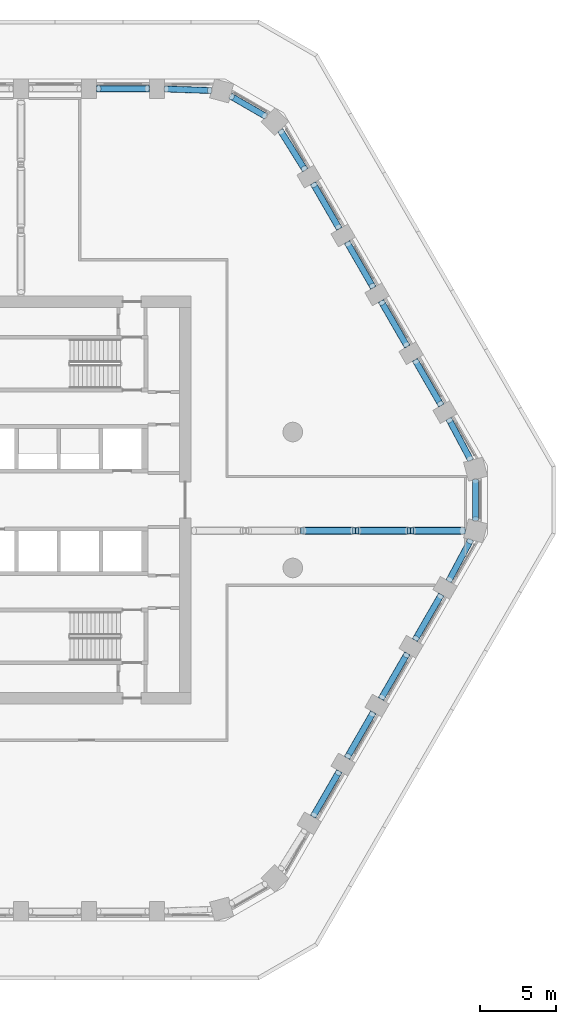
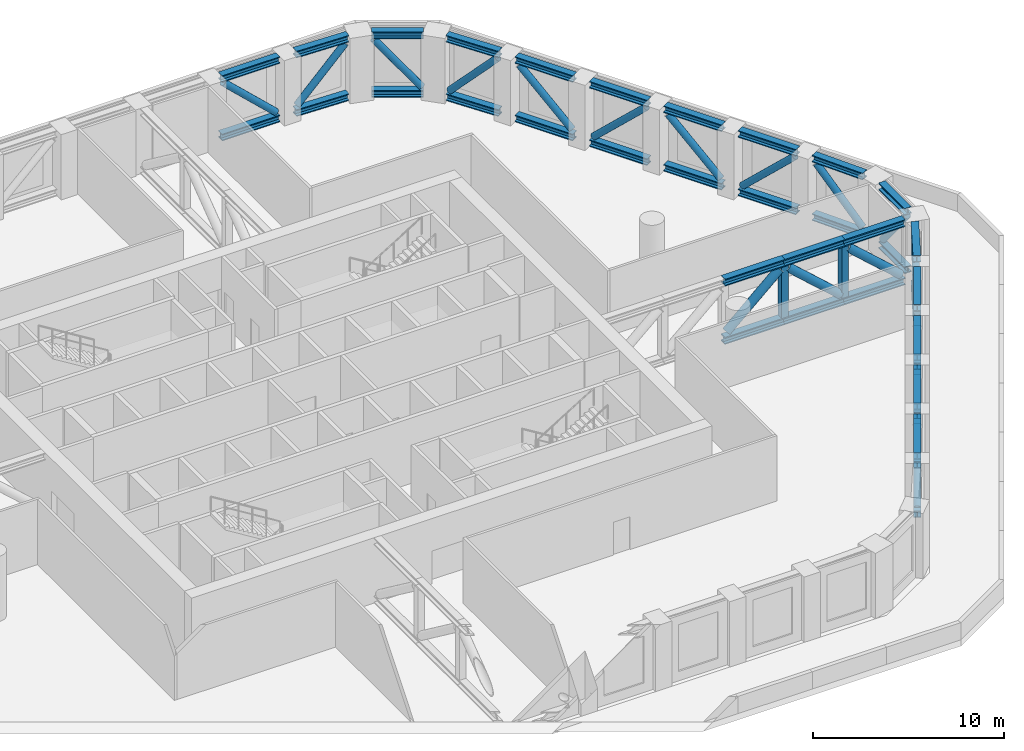
# One storey, part 4 of 18: 36 beams, 20 members.
"""IFC4 building model written with IfcOpenShell, lengths in metres."""

from ifc_helpers import new_model, si_unit, direction, frame, origin, origin_2d, place, context, subcontext, project, spatial, hollow_rectangle, hollow_circle, i_section, extrude, material, material_profile, profile_set, type_object, element, save


model = new_model("IFC4")

# Units and contexts
model_context = context("Model", 3, precision=1e-05, world=origin(), true_north=direction((0.0, 1.0)))
body_context = subcontext(model_context, "Body", "Model", "MODEL_VIEW")
ifc_project = project(units=[si_unit("LENGTHUNIT", "METRE"), si_unit("AREAUNIT", "SQUARE_METRE"), si_unit("VOLUMEUNIT", "CUBIC_METRE"), si_unit("PLANEANGLEUNIT", "RADIAN"), si_unit("MASSUNIT", "GRAM", prefix="KILO")], contexts=[model_context])

# Site, building, storey
site_placement = place(None, origin())
site = spatial("IfcSite", under=ifc_project, at=site_placement, CompositionType="ELEMENT")
building_placement = place(site_placement, origin())
building = spatial("IfcBuilding", under=site, at=building_placement, Name="Dhurran Vertical Campus", CompositionType="ELEMENT")
storey_placement = place(building_placement, frame((0.0, 0.0, 128.10009765625)))
storey = spatial("IfcBuildingStorey", under=building, at=storey_placement, Name="L31 Plant", CompositionType="ELEMENT", Elevation=128.10009765625)

# Beams
ifc_material_1 = material(Name="Steel ASTM A992", Category="steel")
ifc_material_profile_1 = material_profile(ifc_material_1, i_section(OverallWidth=0.412109375, OverallDepth=0.43505859375, WebThickness=0.035888671875, FlangeThickness=0.057373046875, at=origin_2d()), Name="W360x463")
ifc_profile_set_1 = profile_set([ifc_material_profile_1], Name="Steel ASTM A992")
beam_type_1 = type_object("IfcBeamType", Name="FR BELT CHORD W360x463", PredefinedType="BEAM", material=ifc_profile_set_1)
for number, where, z_axis, x_axis, name in (
    (1, (23.834228515625, -20.9775390625, 0.21728515625), (0.500010275428, 0.866019471182, 0.0), (-0.866019471182, 0.500010275428, 0.0), "Belt truss chord L31"),
    (2, (23.834228515625, -20.9775390625, 3.95751953125), (0.500010275428, 0.866019471182, 0.0), (-0.866019471182, 0.500010275428, 0.0), "Belt truss chord L31"),
):
    element("IfcBeam", number, at=place(storey_placement, frame(where, z_axis=z_axis, x_axis=x_axis)), inside=storey, type_object=beam_type_1, Name=name, PredefinedType="BEAM", context=body_context, shape_type="SweptSolid", body=[
        extrude(i_section(OverallWidth=0.412109375, OverallDepth=0.43505859375, WebThickness=0.035888671875, FlangeThickness=0.057373046875, at=origin_2d()), origin(), (0.0, 0.0, 1.0), 3.5),
    ])
for number, where, z_axis, x_axis, name in (
    (3, (26.084228515625, -17.08056640625, 0.21728515625), (0.499980071345, 0.866036909293, 0.0), (-0.866036909293, 0.499980071345, 0.0), "Belt truss chord L31"),
    (4, (26.084228515625, -17.08056640625, 3.95751953125), (0.499980071345, 0.866036909293, 0.0), (-0.866036909293, 0.499980071345, 0.0), "Belt truss chord L31"),
    (5, (28.334228515625, -13.183349609375, 0.21728515625), (0.499980071345, 0.866036909293, 0.0), (-0.866036909293, 0.499980071345, 0.0), "Belt truss chord L31"),
    (6, (28.334228515625, -13.183349609375, 3.95751953125), (0.499980071345, 0.866036909293, 0.0), (-0.866036909293, 0.499980071345, 0.0), "Belt truss chord L31"),
):
    element("IfcBeam", number, at=place(storey_placement, frame(where, z_axis=z_axis, x_axis=x_axis)), inside=storey, type_object=beam_type_1, Name=name, PredefinedType="BEAM", context=body_context, shape_type="SweptSolid", body=[
        extrude(i_section(OverallWidth=0.412109375, OverallDepth=0.43505859375, WebThickness=0.035888671875, FlangeThickness=0.057373046875, at=origin_2d()), origin(), (0.0, 0.0, 1.0), 3.500244140625),
    ])
for number, where, z_axis, x_axis, name in (
    (7, (30.584228515625, -9.2861328125, 0.21728515625), (0.500010275428, 0.866019471182, 0.0), (-0.866019471182, 0.500010275428, 0.0), "Belt truss chord L31"),
    (8, (30.584228515625, -9.2861328125, 3.95751953125), (0.500010275428, 0.866019471182, 0.0), (-0.866019471182, 0.500010275428, 0.0), "Belt truss chord L31"),
):
    element("IfcBeam", number, at=place(storey_placement, frame(where, z_axis=z_axis, x_axis=x_axis)), inside=storey, type_object=beam_type_1, Name=name, PredefinedType="BEAM", context=body_context, shape_type="SweptSolid", body=[
        extrude(i_section(OverallWidth=0.412109375, OverallDepth=0.43505859375, WebThickness=0.035888671875, FlangeThickness=0.057373046875, at=origin_2d()), origin(), (0.0, 0.0, 1.0), 3.5),
    ])
for number, where, z_axis, x_axis, name in (
    (9, (32.8193359375, -5.380615234375, 0.21728515625), (0.470243179816, 0.882536884122, 0.0), (-0.882536884122, 0.470243179816, 0.0), "Belt truss chord L31"),
    (10, (32.8193359375, -5.380615234375, 3.95751953125), (0.470243179816, 0.882536884122, 0.0), (-0.882536884122, 0.470243179816, 0.0), "Belt truss chord L31"),
):
    element("IfcBeam", number, at=place(storey_placement, frame(where, z_axis=z_axis, x_axis=x_axis)), inside=storey, type_object=beam_type_1, Name=name, PredefinedType="BEAM", context=body_context, shape_type="SweptSolid", body=[
        extrude(i_section(OverallWidth=0.412109375, OverallDepth=0.43505859375, WebThickness=0.035888671875, FlangeThickness=0.057373046875, at=origin_2d()), origin(), (0.0, 0.0, 1.0), 3.121826171875),
    ])
for number, where, z_axis, x_axis, name in (
    (11, (34.60107421875, -1.36376953125, 0.21728515625), (0.0, 1.0, 0.0), (-1.0, 0.0, 0.0), "Belt truss chord L31"),
    (12, (34.60107421875, -1.36376953125, 3.95751953125), (0.0, 1.0, 0.0), (-1.0, 0.0, 0.0), "Belt truss chord L31"),
):
    element("IfcBeam", number, at=place(storey_placement, frame(where, z_axis=z_axis, x_axis=x_axis)), inside=storey, type_object=beam_type_1, Name=name, PredefinedType="BEAM", context=body_context, shape_type="SweptSolid", body=[
        extrude(i_section(OverallWidth=0.412109375, OverallDepth=0.43505859375, WebThickness=0.035888671875, FlangeThickness=0.057373046875, at=origin_2d()), origin(), (0.0, 0.0, 1.0), 2.7275390625),
    ])
for number, where, z_axis, x_axis, name in (
    (13, (34.287353515625, 2.62548828125, 0.21728515625), (-0.470243179816, 0.882536884122, 0.0), (-0.882536884122, -0.470243179816, 0.0), "Belt truss chord L31"),
    (14, (34.287353515625, 2.62548828125, 3.95751953125), (-0.470243179816, 0.882536884122, 0.0), (-0.882536884122, -0.470243179816, 0.0), "Belt truss chord L31"),
):
    element("IfcBeam", number, at=place(storey_placement, frame(where, z_axis=z_axis, x_axis=x_axis)), inside=storey, type_object=beam_type_1, Name=name, PredefinedType="BEAM", context=body_context, shape_type="SweptSolid", body=[
        extrude(i_section(OverallWidth=0.412109375, OverallDepth=0.43505859375, WebThickness=0.035888671875, FlangeThickness=0.057373046875, at=origin_2d()), origin(), (0.0, 0.0, 1.0), 3.121826171875),
    ])
for number, where, z_axis, x_axis, name in (
    (15, (32.334228515625, 6.255126953125, 0.21728515625), (-0.500010275428, 0.866019471182, 0.0), (-0.866019471182, -0.500010275428, 0.0), "Belt truss chord L31"),
    (16, (32.334228515625, 6.255126953125, 3.95751953125), (-0.500010275428, 0.866019471182, 0.0), (-0.866019471182, -0.500010275428, 0.0), "Belt truss chord L31"),
):
    element("IfcBeam", number, at=place(storey_placement, frame(where, z_axis=z_axis, x_axis=x_axis)), inside=storey, type_object=beam_type_1, Name=name, PredefinedType="BEAM", context=body_context, shape_type="SweptSolid", body=[
        extrude(i_section(OverallWidth=0.412109375, OverallDepth=0.43505859375, WebThickness=0.035888671875, FlangeThickness=0.057373046875, at=origin_2d()), origin(), (0.0, 0.0, 1.0), 3.5),
    ])
for number, where, z_axis, x_axis, name in (
    (17, (30.084228515625, 10.152099609375, 0.21728515625), (-0.499980071345, 0.866036909293, 0.0), (-0.866036909293, -0.499980071345, 0.0), "Belt truss chord L31"),
    (18, (30.084228515625, 10.152099609375, 3.95751953125), (-0.499980071345, 0.866036909293, 0.0), (-0.866036909293, -0.499980071345, 0.0), "Belt truss chord L31"),
    (19, (27.834228515625, 14.04931640625, 0.21728515625), (-0.499980071345, 0.866036909293, 0.0), (-0.866036909293, -0.499980071345, 0.0), "Belt truss chord L31"),
    (20, (27.834228515625, 14.04931640625, 3.95751953125), (-0.499980071345, 0.866036909293, 0.0), (-0.866036909293, -0.499980071345, 0.0), "Belt truss chord L31"),
):
    element("IfcBeam", number, at=place(storey_placement, frame(where, z_axis=z_axis, x_axis=x_axis)), inside=storey, type_object=beam_type_1, Name=name, PredefinedType="BEAM", context=body_context, shape_type="SweptSolid", body=[
        extrude(i_section(OverallWidth=0.412109375, OverallDepth=0.43505859375, WebThickness=0.035888671875, FlangeThickness=0.057373046875, at=origin_2d()), origin(), (0.0, 0.0, 1.0), 3.500244140625),
    ])
for number, where, z_axis, x_axis, name in (
    (21, (25.584228515625, 17.946533203125, 0.21728515625), (-0.500010275428, 0.866019471182, 0.0), (-0.866019471182, -0.500010275428, 0.0), "Belt truss chord L31"),
    (22, (25.584228515625, 17.946533203125, 3.95751953125), (-0.500010275428, 0.866019471182, 0.0), (-0.866019471182, -0.500010275428, 0.0), "Belt truss chord L31"),
):
    element("IfcBeam", number, at=place(storey_placement, frame(where, z_axis=z_axis, x_axis=x_axis)), inside=storey, type_object=beam_type_1, Name=name, PredefinedType="BEAM", context=body_context, shape_type="SweptSolid", body=[
        extrude(i_section(OverallWidth=0.412109375, OverallDepth=0.43505859375, WebThickness=0.035888671875, FlangeThickness=0.057373046875, at=origin_2d()), origin(), (0.0, 0.0, 1.0), 3.5),
    ])
for number, where, z_axis, x_axis, name in (
    (23, (23.3193359375, 21.835205078125, 0.21728515625), (-0.529176156193, 0.848511989142, 0.0), (-0.848511989142, -0.529176156193, 0.0), "Belt truss chord L31"),
    (24, (23.3193359375, 21.835205078125, 3.95751953125), (-0.529176156193, 0.848511989142, 0.0), (-0.848511989142, -0.529176156193, 0.0), "Belt truss chord L31"),
):
    element("IfcBeam", number, at=place(storey_placement, frame(where, z_axis=z_axis, x_axis=x_axis)), inside=storey, type_object=beam_type_1, Name=name, PredefinedType="BEAM", context=body_context, shape_type="SweptSolid", body=[
        extrude(i_section(OverallWidth=0.412109375, OverallDepth=0.43505859375, WebThickness=0.035888671875, FlangeThickness=0.057373046875, at=origin_2d()), origin(), (0.0, 0.0, 1.0), 3.12158203125),
    ])
for number, where, z_axis, x_axis, name in (
    (25, (20.7314453125, 25.386474609375, 0.21728515625), (-0.866058885866, 0.499942002849, 0.0), (-0.499942002849, -0.866058885866, 0.0), "Belt truss chord L31"),
    (26, (20.7314453125, 25.386474609375, 3.95751953125), (-0.866058885866, 0.499942002849, 0.0), (-0.499942002849, -0.866058885866, 0.0), "Belt truss chord L31"),
):
    element("IfcBeam", number, at=place(storey_placement, frame(where, z_axis=z_axis, x_axis=x_axis)), inside=storey, type_object=beam_type_1, Name=name, PredefinedType="BEAM", context=body_context, shape_type="SweptSolid", body=[
        extrude(i_section(OverallWidth=0.412109375, OverallDepth=0.43505859375, WebThickness=0.035888671875, FlangeThickness=0.057373046875, at=origin_2d()), origin(), (0.0, 0.0, 1.0), 2.727294921875),
    ])
for number, where, z_axis, x_axis, name in (
    (27, (17.119873046875, 27.109375, 0.21728515625), (-0.999418472466, 0.034098634791, 0.0), (-0.034098634791, -0.999418472466, 0.0), "Belt truss chord L31"),
    (28, (17.119873046875, 27.109375, 3.95751953125), (-0.999418472466, 0.034098634791, 0.0), (-0.034098634791, -0.999418472466, 0.0), "Belt truss chord L31"),
):
    element("IfcBeam", number, at=place(storey_placement, frame(where, z_axis=z_axis, x_axis=x_axis)), inside=storey, type_object=beam_type_1, Name=name, PredefinedType="BEAM", context=body_context, shape_type="SweptSolid", body=[
        extrude(i_section(OverallWidth=0.412109375, OverallDepth=0.43505859375, WebThickness=0.035888671875, FlangeThickness=0.057373046875, at=origin_2d()), origin(), (0.0, 0.0, 1.0), 3.12158203125),
    ])
for number, where, z_axis, x_axis, name in (
    (29, (13.0, 27.232666015625, 0.21728515625), (-1.0, 0.0, 0.0), (0.0, -1.0, 0.0), "Belt truss chord L31"),
    (30, (13.0, 27.232666015625, 3.95751953125), (-1.0, 0.0, 0.0), (0.0, -1.0, 0.0), "Belt truss chord L31"),
):
    element("IfcBeam", number, at=place(storey_placement, frame(where, z_axis=z_axis, x_axis=x_axis)), inside=storey, type_object=beam_type_1, Name=name, PredefinedType="BEAM", context=body_context, shape_type="SweptSolid", body=[
        extrude(i_section(OverallWidth=0.412109375, OverallDepth=0.43505859375, WebThickness=0.035888671875, FlangeThickness=0.057373046875, at=origin_2d()), origin(), (0.0, 0.0, 1.0), 3.5),
    ])

# Members
ifc_material_2 = material(Name="Steel S355J2H", Category="steel")
ifc_material_profile_2 = material_profile(ifc_material_2, hollow_circle(Radius=0.203125, WallThickness=0.01611328125, at=origin_2d()), Name="CHS406.4x16")
ifc_profile_set_2 = profile_set([ifc_material_profile_2], Name="Steel S355J2H")
member_type_1 = type_object("IfcMemberType", Name="FR BELT DIAGONAL CHS406.4x16", PredefinedType="BRACE", material=ifc_profile_set_2)
member_1_placement = place(storey_placement, frame((23.912353515625, -20.842041015625, 0.58251953125), z_axis=(0.363566940139, 0.629614622896, 0.686589037688), x_axis=(-0.86599040064, 0.500060622324, 0.0)))
element("IfcMember", 31, at=member_1_placement, inside=storey, type_object=member_type_1, Name="Belt truss diagonal L31", PredefinedType="BRACE", context=body_context, shape_type="SweptSolid", body=[
    extrude(hollow_circle(Radius=0.203125, WallThickness=0.01611328125, at=origin_2d()), origin(), (0.0, 0.0, 1.0), 4.383544921875),
])
for number, where, z_axis, x_axis, name in (
    (32, (27.756103515625, -14.184814453125, 0.58251953125), (-0.363554191618, -0.629648236892, 0.686564962357), (0.866009553984, -0.500027451655, 0.0), "Belt truss diagonal L31"),
    (33, (28.412353515625, -13.0478515625, 0.58251953125), (0.363554191618, 0.629648236892, 0.686564962357), (-0.866009553984, 0.500027451655, 0.0), "Belt truss diagonal L31"),
):
    element("IfcMember", number, at=place(storey_placement, frame(where, z_axis=z_axis, x_axis=x_axis)), inside=storey, type_object=member_type_1, Name=name, PredefinedType="BRACE", context=body_context, shape_type="SweptSolid", body=[
        extrude(hollow_circle(Radius=0.203125, WallThickness=0.01611328125, at=origin_2d()), origin(), (0.0, 0.0, 1.0), 4.3837890625),
    ])
member_2_placement = place(storey_placement, frame((32.256103515625, -6.390625, 0.58251953125), z_axis=(-0.363566940139, -0.629614622896, 0.686589037688), x_axis=(0.86599040064, -0.500060622324, 0.0)))
element("IfcMember", 34, at=member_2_placement, inside=storey, type_object=member_type_1, Name="Belt truss diagonal L31", PredefinedType="BRACE", context=body_context, shape_type="SweptSolid", body=[
    extrude(hollow_circle(Radius=0.203125, WallThickness=0.01611328125, at=origin_2d()), origin(), (0.0, 0.0, 1.0), 4.383544921875),
])
member_3_placement = place(storey_placement, frame((32.88134765625, -5.264404296875, 0.574462890625), z_axis=(0.322893902502, 0.606019945622, 0.726965854243), x_axis=(-0.882544394798, 0.470229083756, 0.0)))
element("IfcMember", 35, at=member_3_placement, inside=storey, type_object=member_type_1, Name="Belt truss diagonal L31", PredefinedType="BRACE", context=body_context, shape_type="SweptSolid", body=[
    extrude(hollow_circle(Radius=0.203125, WallThickness=0.01611328125, at=origin_2d()), origin(), (0.0, 0.0, 1.0), 4.162353515625),
])
member_4_placement = place(storey_placement, frame((34.60107421875, 1.257080078125, 0.564208984375), z_axis=(0.0, -0.636517184339, 0.771262519536), x_axis=(1.0, 0.0, 0.0)))
element("IfcMember", 36, at=member_4_placement, inside=storey, type_object=member_type_1, Name="Belt truss diagonal L31", PredefinedType="BRACE", context=body_context, shape_type="SweptSolid", body=[
    extrude(hollow_circle(Radius=0.203125, WallThickness=0.01611328125, at=origin_2d()), origin(), (0.0, 0.0, 1.0), 3.949951171875),
])
member_5_placement = place(storey_placement, frame((34.225341796875, 2.741943359375, 0.574462890625), z_axis=(-0.322893902502, 0.606019945622, 0.726965854243), x_axis=(-0.882544394798, -0.470229083756, 0.0)))
element("IfcMember", 37, at=member_5_placement, inside=storey, type_object=member_type_1, Name="Belt truss diagonal L31", PredefinedType="BRACE", context=body_context, shape_type="SweptSolid", body=[
    extrude(hollow_circle(Radius=0.203125, WallThickness=0.01611328125, at=origin_2d()), origin(), (0.0, 0.0, 1.0), 4.162353515625),
])
member_6_placement = place(storey_placement, frame((30.662353515625, 9.150634765625, 0.58251953125), z_axis=(0.363566940139, -0.629614622896, 0.686589037688), x_axis=(0.86599040064, 0.500060622324, 0.0)))
element("IfcMember", 38, at=member_6_placement, inside=storey, type_object=member_type_1, Name="Belt truss diagonal L31", PredefinedType="BRACE", context=body_context, shape_type="SweptSolid", body=[
    extrude(hollow_circle(Radius=0.203125, WallThickness=0.01611328125, at=origin_2d()), origin(), (0.0, 0.0, 1.0), 4.383544921875),
])
for number, where, z_axis, x_axis, name in (
    (39, (30.006103515625, 10.28759765625, 0.58251953125), (-0.363554191618, 0.629648236892, 0.686564962357), (-0.866009553984, -0.500027451655, 0.0), "Belt truss diagonal L31"),
    (40, (26.162353515625, 16.945068359375, 0.58251953125), (0.363554191618, -0.629648236892, 0.686564962357), (0.866009553984, 0.500027451655, 0.0), "Belt truss diagonal L31"),
):
    element("IfcMember", number, at=place(storey_placement, frame(where, z_axis=z_axis, x_axis=x_axis)), inside=storey, type_object=member_type_1, Name=name, PredefinedType="BRACE", context=body_context, shape_type="SweptSolid", body=[
        extrude(hollow_circle(Radius=0.203125, WallThickness=0.01611328125, at=origin_2d()), origin(), (0.0, 0.0, 1.0), 4.3837890625),
    ])
member_7_placement = place(storey_placement, frame((25.506103515625, 18.08203125, 0.58251953125), z_axis=(-0.363566940139, 0.629614622896, 0.686589037688), x_axis=(-0.86599040064, -0.500060622324, 0.0)))
element("IfcMember", 41, at=member_7_placement, inside=storey, type_object=member_type_1, Name="Belt truss diagonal L31", PredefinedType="BRACE", context=body_context, shape_type="SweptSolid", body=[
    extrude(hollow_circle(Radius=0.203125, WallThickness=0.01611328125, at=origin_2d()), origin(), (0.0, 0.0, 1.0), 4.383544921875),
])
member_8_placement = place(storey_placement, frame((21.7373046875, 24.371826171875, 0.574462890625), z_axis=(0.363385996339, -0.58259075313, 0.727006624476), x_axis=(0.848477892865, 0.529230824234, 0.0)))
element("IfcMember", 42, at=member_8_placement, inside=storey, type_object=member_type_1, Name="Belt truss diagonal L31", PredefinedType="BRACE", context=body_context, shape_type="SweptSolid", body=[
    extrude(hollow_circle(Radius=0.203125, WallThickness=0.01611328125, at=origin_2d()), origin(), (0.0, 0.0, 1.0), 4.162109375),
])
member_9_placement = place(storey_placement, frame((20.63916015625, 25.439697265625, 0.564208984375), z_axis=(-0.55122586899, 0.318262166341, 0.771271181124), x_axis=(-0.500013859761, -0.8660174017, 0.0)))
element("IfcMember", 43, at=member_9_placement, inside=storey, type_object=member_type_1, Name="Belt truss diagonal L31", PredefinedType="BRACE", context=body_context, shape_type="SweptSolid", body=[
    extrude(hollow_circle(Radius=0.203125, WallThickness=0.01611328125, at=origin_2d()), origin(), (0.0, 0.0, 1.0), 3.94970703125),
])
member_10_placement = place(storey_placement, frame((14.131591796875, 27.211181640625, 0.574462890625), z_axis=(0.686266660037, -0.023403452765, 0.726973417478), x_axis=(0.034082750999, 0.99941901427, 0.0)))
element("IfcMember", 44, at=member_10_placement, inside=storey, type_object=member_type_1, Name="Belt truss diagonal L31", PredefinedType="BRACE", context=body_context, shape_type="SweptSolid", body=[
    extrude(hollow_circle(Radius=0.203125, WallThickness=0.01611328125, at=origin_2d()), origin(), (0.0, 0.0, 1.0), 4.162353515625),
])
member_11_placement = place(storey_placement, frame((12.843505859375, 27.232666015625, 0.58251953125), z_axis=(-0.727034775792, 0.0, 0.686600637044), x_axis=(0.0, -1.0, 0.0)))
element("IfcMember", 45, at=member_11_placement, inside=storey, type_object=member_type_1, Name="Belt truss diagonal L31", PredefinedType="BRACE", context=body_context, shape_type="SweptSolid", body=[
    extrude(hollow_circle(Radius=0.203125, WallThickness=0.01611328125, at=origin_2d()), origin(), (0.0, 0.0, 1.0), 4.383544921875),
])

# Beams
ifc_material_3 = material(Name="Steel ASTM A992", Category="steel")
ifc_material_profile_3 = material_profile(ifc_material_3, i_section(OverallWidth=0.41796875, OverallDepth=0.455078125, WebThickness=0.042236328125, FlangeThickness=0.067626953125, at=origin_2d()), Name="W360x551")
ifc_profile_set_3 = profile_set([ifc_material_profile_3], Name="Steel ASTM A992")
beam_type_2 = type_object("IfcBeamType", Name="FR OUTRIGGER CHORD W360x551", PredefinedType="BEAM", material=ifc_profile_set_3)
for number, where, z_axis, x_axis, name in (
    (46, (23.021240234375, -2.03662109375, 0.227294921875), (1.0, 0.0, 0.0), (0.0, 1.0, 0.0), "Outrigger truss chord L31"),
    (47, (23.021240234375, -2.03662109375, 3.947509765625), (1.0, 0.0, 0.0), (0.0, 1.0, 0.0), "Outrigger truss chord L31"),
):
    element("IfcBeam", number, at=place(storey_placement, frame(where, z_axis=z_axis, x_axis=x_axis)), inside=storey, type_object=beam_type_2, Name=name, PredefinedType="BEAM", context=body_context, shape_type="SweptSolid", body=[
        extrude(i_section(OverallWidth=0.41796875, OverallDepth=0.455078125, WebThickness=0.042236328125, FlangeThickness=0.067626953125, at=origin_2d()), origin(), (0.0, 0.0, 1.0), 3.6357421875),
    ])
for number, where, z_axis, x_axis, name in (
    (48, (26.656982421875, -2.03662109375, 0.227294921875), (1.0, 0.0, 0.0), (0.0, 1.0, 0.0), "Outrigger truss chord L31"),
    (49, (26.656982421875, -2.03662109375, 3.947509765625), (1.0, 0.0, 0.0), (0.0, 1.0, 0.0), "Outrigger truss chord L31"),
    (50, (30.29248046875, -2.03662109375, 0.227294921875), (1.0, 0.0, 0.0), (0.0, 1.0, 0.0), "Outrigger truss chord L31"),
    (51, (30.29248046875, -2.03662109375, 3.947509765625), (1.0, 0.0, 0.0), (0.0, 1.0, 0.0), "Outrigger truss chord L31"),
):
    element("IfcBeam", number, at=place(storey_placement, frame(where, z_axis=z_axis, x_axis=x_axis)), inside=storey, type_object=beam_type_2, Name=name, PredefinedType="BEAM", context=body_context, shape_type="SweptSolid", body=[
        extrude(i_section(OverallWidth=0.41796875, OverallDepth=0.455078125, WebThickness=0.042236328125, FlangeThickness=0.067626953125, at=origin_2d()), origin(), (0.0, 0.0, 1.0), 3.635498046875),
    ])

# Members
ifc_material_4 = material(Name="Steel S355J2H", Category="steel")
ifc_material_profile_4 = material_profile(ifc_material_4, hollow_circle(Radius=0.25390625, WallThickness=0.01611328125, at=origin_2d()), Name="CHS508x16")
ifc_profile_set_4 = profile_set([ifc_material_profile_4], Name="Steel S355J2H")
member_type_2 = type_object("IfcMemberType", Name="FR OUTRIGGER DIAGONAL CHS508x16", PredefinedType="BRACE", material=ifc_profile_set_4)
member_12_placement = place(storey_placement, frame((23.231689453125, -2.03662109375, 0.643798828125), z_axis=(0.743976479085, 0.0, 0.668205805548), x_axis=(0.0, 1.0, 0.0)))
element("IfcMember", 52, at=member_12_placement, inside=storey, type_object=member_type_2, Name="Outrigger truss diagonal L31", PredefinedType="BRACE", context=body_context, shape_type="SweptSolid", body=[
    extrude(hollow_circle(Radius=0.25390625, WallThickness=0.01611328125, at=origin_2d()), origin(), (0.0, 0.0, 1.0), 4.32080078125),
])
for number, where, z_axis, x_axis, name in (
    (53, (30.08203125, -2.03662109375, 0.643798828125), (-0.744001706077, 0.0, 0.668177716895), (0.0, -1.0, 0.0), "Outrigger truss diagonal L31"),
    (54, (33.7177734375, -2.03662109375, 0.643798828125), (-0.744001706077, 0.0, 0.668177716895), (0.0, -1.0, 0.0), "Outrigger truss diagonal L31"),
):
    element("IfcMember", number, at=place(storey_placement, frame(where, z_axis=z_axis, x_axis=x_axis)), inside=storey, type_object=member_type_2, Name=name, PredefinedType="BRACE", context=body_context, shape_type="SweptSolid", body=[
        extrude(hollow_circle(Radius=0.25390625, WallThickness=0.01611328125, at=origin_2d()), origin(), (0.0, 0.0, 1.0), 4.321044921875),
    ])
ifc_material_5 = material(Name="Steel S355J2H", Category="steel")
ifc_material_profile_5 = material_profile(ifc_material_5, hollow_rectangle(XDim=0.39990234375, YDim=0.39990234375, WallThickness=0.01611328125, at=origin_2d()), Name="SHS400x400x16")
ifc_profile_set_5 = profile_set([ifc_material_profile_5], Name="Steel S355J2H")
member_type_3 = type_object("IfcMemberType", Name="FR OUTRIGGER POST SHS400x400x16", PredefinedType="POST", material=ifc_profile_set_5)
for number, where, z_axis, x_axis, name in (
    (55, (26.656982421875, -2.03662109375, 0.454833984375), (0.0, 0.0, 1.0), (1.0, 0.0, 0.0), "Outrigger truss post L31"),
    (56, (30.29248046875, -2.03662109375, 0.454833984375), (0.0, 0.0, 1.0), (1.0, 0.0, 0.0), "Outrigger truss post L31"),
):
    element("IfcMember", number, at=place(storey_placement, frame(where, z_axis=z_axis, x_axis=x_axis)), inside=storey, type_object=member_type_3, Name=name, PredefinedType="POST", context=body_context, shape_type="SweptSolid", body=[
        extrude(hollow_rectangle(XDim=0.39990234375, YDim=0.39990234375, WallThickness=0.01611328125, at=origin_2d()), origin(), (0.0, 0.0, 1.0), 3.26513671875),
    ])

save(model, "model.ifc")
